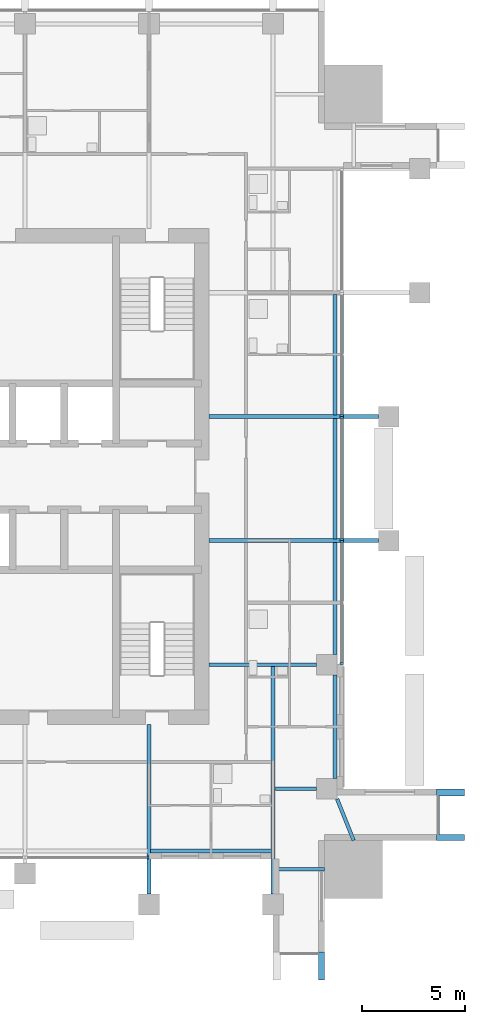
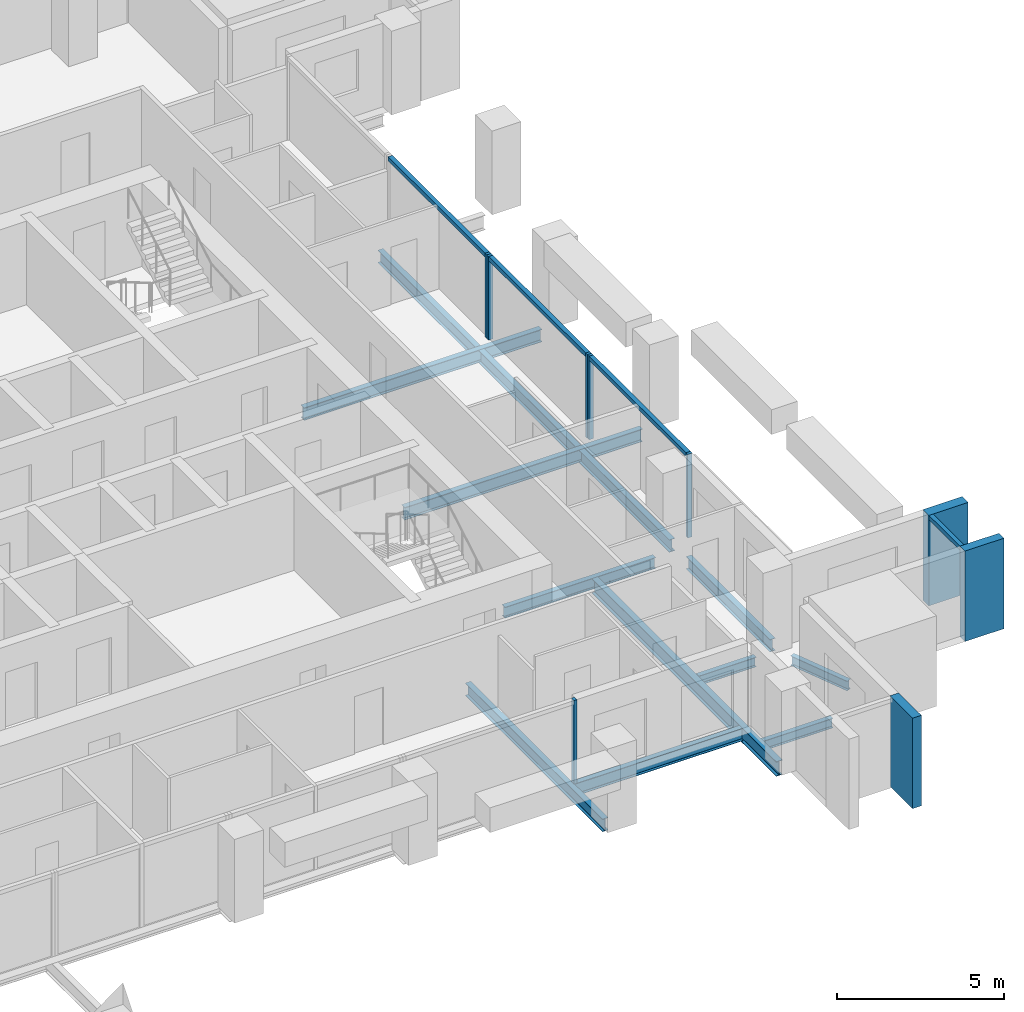
# One storey, part 4 of 14: 13 beams, 13 members, 6 elements without a shape of their own.
"""IFC4 building model written with IfcOpenShell, lengths in metres."""

from ifc_helpers import new_model, si_unit, direction, frame, origin, origin_2d, place, context, subcontext, project, spatial, rectangle, i_section, extrude, material, material_profile, profile_set, type_object, element, aggregate, save


model = new_model("IFC4")

# Units and contexts
model_context = context("Model", 3, precision=1e-05, world=origin(), true_north=direction((0.0, 1.0)))
body_context = subcontext(model_context, "Body", "Model", "MODEL_VIEW")
ifc_project = project(units=[si_unit("LENGTHUNIT", "METRE"), si_unit("AREAUNIT", "SQUARE_METRE"), si_unit("VOLUMEUNIT", "CUBIC_METRE"), si_unit("PLANEANGLEUNIT", "RADIAN"), si_unit("MASSUNIT", "GRAM", prefix="KILO")], contexts=[model_context])

# Site, building, storey
site_placement = place(None, origin())
site = spatial("IfcSite", under=ifc_project, at=site_placement, CompositionType="ELEMENT")
building_placement = place(site_placement, origin())
building = spatial("IfcBuilding", under=site, at=building_placement, Name="Amberfall Residences", CompositionType="ELEMENT")
storey_placement = place(building_placement, frame((0.0, 0.0, 168.10009765625)))
storey = spatial("IfcBuildingStorey", under=building, at=storey_placement, Name="L45", CompositionType="ELEMENT", Elevation=168.10009765625)

# Curtain wall, member
ifc_material_1 = material(Name="Bronze anodised aluminium and glass", Category="aluminium")
curtain_wall_type_1 = type_object("IfcCurtainWallType", Name="Curtain wall CW1 tower unit", PredefinedType="USERDEFINED", material=ifc_material_1)
curtain_wall_1_placement = place(storey_placement, origin())
curtain_wall_1 = element("IfcCurtainWall", 1, at=curtain_wall_1_placement, inside=storey, type_object=curtain_wall_type_1, Name="Curtain wall L45 E E1", ObjectType="UNITISED CURTAIN WALL", PredefinedType="USERDEFINED")
ifc_material_2 = material(Name="Bronze anodised aluminium", Category="aluminium")
ifc_material_profile_1 = material_profile(ifc_material_2, rectangle(XDim=0.14990234375, YDim=0.14990234375, at=origin_2d()), Name="CW1 transom 150 x 150 bronze")
ifc_profile_set_1 = profile_set([ifc_material_profile_1], Name="Bronze anodised aluminium")
member_type_1 = type_object("IfcMemberType", Name="CW1 transom 150 x 150 bronze", PredefinedType="USERDEFINED", material=ifc_profile_set_1)
member_1_placement = place(storey_placement, frame((97.574951171875, 28.199951171875, 2.974853515625), z_axis=(0.0, 1.0, 0.0), x_axis=(-1.0, 0.0, 0.0)))
member_1 = element("IfcMember", 2, at=member_1_placement, type_object=member_type_1, Name="CW1 transom 1.1", ObjectType="TRANSOM", PredefinedType="USERDEFINED", context=body_context, shape_type="SweptSolid", body=[
    extrude(rectangle(XDim=0.14990234375, YDim=0.14990234375, at=origin_2d()), origin(), (0.0, 0.0, 1.0), 1.85009765625),
])

curtain_wall_type_2 = type_object("IfcCurtainWallType", Name="Curtain wall CW3 sky garden glazing", PredefinedType="USERDEFINED", material=ifc_material_1)
curtain_wall_2_placement = place(storey_placement, origin())
curtain_wall_2 = element("IfcCurtainWall", 3, at=curtain_wall_2_placement, inside=storey, type_object=curtain_wall_type_2, Name="Curtain wall L45 S S6", ObjectType="UNITISED CURTAIN WALL", PredefinedType="USERDEFINED")
ifc_material_profile_2 = material_profile(ifc_material_2, rectangle(XDim=0.14990234375, YDim=0.10009765625, at=origin_2d()), Name="CW3 mullion 100 x 150 bronze")
ifc_profile_set_2 = profile_set([ifc_material_profile_2], Name="Bronze anodised aluminium")
member_type_2 = type_object("IfcMemberType", Name="CW3 mullion 100 x 150 bronze", PredefinedType="MULLION", material=ifc_profile_set_2)
member_2_placement = place(storey_placement, frame((83.550048828125, 27.074951171875, 0.0), z_axis=(0.0, 0.0, 1.0), x_axis=(0.0, 1.0, 0.0)))
member_2 = element("IfcMember", 4, at=member_2_placement, type_object=member_type_2, Name="CW3 mullion 2", PredefinedType="MULLION", context=body_context, shape_type="SweptSolid", body=[
    extrude(rectangle(XDim=0.14990234375, YDim=0.10009765625, at=origin_2d()), origin(), (0.0, 0.0, 1.0), 3.0498046875),
])
aggregate(curtain_wall_2, [member_2])

# Curtain wall, members
curtain_wall_3_placement = place(storey_placement, origin())
curtain_wall_3 = element("IfcCurtainWall", 5, at=curtain_wall_3_placement, inside=storey, type_object=curtain_wall_type_2, Name="Curtain wall L45 E E4", ObjectType="UNITISED CURTAIN WALL", PredefinedType="USERDEFINED")
member_3_placement = place(storey_placement, frame((92.925048828125, 36.449951171875, 0.0), z_axis=(0.0, 0.0, 1.0), x_axis=(-1.0, 0.0, 0.0)))
member_3 = element("IfcMember", 6, at=member_3_placement, type_object=member_type_2, Name="CW3 mullion 1", PredefinedType="MULLION", context=body_context, shape_type="SweptSolid", body=[
    extrude(rectangle(XDim=0.14990234375, YDim=0.10009765625, at=origin_2d()), origin(), (0.0, 0.0, 1.0), 3.0498046875),
])
member_4_placement = place(storey_placement, frame((92.925048828125, 42.35009765625, 0.0), z_axis=(0.0, 0.0, 1.0), x_axis=(-1.0, 0.0, 0.0)))
member_4 = element("IfcMember", 7, at=member_4_placement, type_object=member_type_2, Name="CW3 mullion 2", PredefinedType="MULLION", context=body_context, shape_type="SweptSolid", body=[
    extrude(rectangle(XDim=0.14990234375, YDim=0.10009765625, at=origin_2d()), origin(), (0.0, 0.0, 1.0), 3.0498046875),
])

curtain_wall_4_placement = place(storey_placement, origin())
curtain_wall_4 = element("IfcCurtainWall", 8, at=curtain_wall_4_placement, inside=storey, type_object=curtain_wall_type_2, Name="Curtain wall L45 E E5", ObjectType="UNITISED CURTAIN WALL", PredefinedType="USERDEFINED")
member_5_placement = place(storey_placement, frame((92.925048828125, 42.449951171875, 0.0), z_axis=(0.0, 0.0, 1.0), x_axis=(-1.0, 0.0, 0.0)))
member_5 = element("IfcMember", 9, at=member_5_placement, type_object=member_type_2, Name="CW3 mullion 1", PredefinedType="MULLION", context=body_context, shape_type="SweptSolid", body=[
    extrude(rectangle(XDim=0.14990234375, YDim=0.10009765625, at=origin_2d()), origin(), (0.0, 0.0, 1.0), 3.0498046875),
])
member_6_placement = place(storey_placement, frame((92.925048828125, 48.35009765625, 0.0), z_axis=(0.0, 0.0, 1.0), x_axis=(-1.0, 0.0, 0.0)))
member_6 = element("IfcMember", 10, at=member_6_placement, type_object=member_type_2, Name="CW3 mullion 2", PredefinedType="MULLION", context=body_context, shape_type="SweptSolid", body=[
    extrude(rectangle(XDim=0.14990234375, YDim=0.10009765625, at=origin_2d()), origin(), (0.0, 0.0, 1.0), 3.0498046875),
])

# Curtain wall, member
curtain_wall_5_placement = place(storey_placement, origin())
curtain_wall_5 = element("IfcCurtainWall", 11, at=curtain_wall_5_placement, inside=storey, type_object=curtain_wall_type_2, Name="Curtain wall L45 E E6", ObjectType="UNITISED CURTAIN WALL", PredefinedType="USERDEFINED")
member_7_placement = place(storey_placement, frame((92.925048828125, 48.449951171875, 0.0), z_axis=(0.0, 0.0, 1.0), x_axis=(-1.0, 0.0, 0.0)))
member_7 = element("IfcMember", 12, at=member_7_placement, type_object=member_type_2, Name="CW3 mullion 1", PredefinedType="MULLION", context=body_context, shape_type="SweptSolid", body=[
    extrude(rectangle(XDim=0.14990234375, YDim=0.10009765625, at=origin_2d()), origin(), (0.0, 0.0, 1.0), 3.0498046875),
])

# Member
ifc_material_profile_3 = material_profile(ifc_material_2, rectangle(XDim=0.14990234375, YDim=0.14990234375, at=origin_2d()), Name="CW3 transom 150 x 150 bronze")
ifc_profile_set_3 = profile_set([ifc_material_profile_3], Name="Bronze anodised aluminium")
member_type_3 = type_object("IfcMemberType", Name="CW3 transom 150 x 150 bronze", PredefinedType="USERDEFINED", material=ifc_profile_set_3)
member_8_placement = place(storey_placement, frame((92.925048828125, 36.5, 2.974853515625), z_axis=(0.0, 1.0, 0.0), x_axis=(-1.0, 0.0, 0.0)))
member_8 = element("IfcMember", 13, at=member_8_placement, type_object=member_type_3, Name="CW3 transom 1.1", ObjectType="TRANSOM", PredefinedType="USERDEFINED", context=body_context, shape_type="SweptSolid", body=[
    extrude(rectangle(XDim=0.14990234375, YDim=0.14990234375, at=origin_2d()), origin(), (0.0, 0.0, 1.0), 5.800048828125),
])

aggregate(curtain_wall_3, [member_3, member_4, member_8])

member_9_placement = place(storey_placement, frame((92.925048828125, 42.5, 2.974853515625), z_axis=(0.0, 1.0, 0.0), x_axis=(-1.0, 0.0, 0.0)))
member_9 = element("IfcMember", 14, at=member_9_placement, type_object=member_type_3, Name="CW3 transom 1.1", ObjectType="TRANSOM", PredefinedType="USERDEFINED", context=body_context, shape_type="SweptSolid", body=[
    extrude(rectangle(XDim=0.14990234375, YDim=0.14990234375, at=origin_2d()), origin(), (0.0, 0.0, 1.0), 5.800048828125),
])

aggregate(curtain_wall_4, [member_5, member_6, member_9])

member_10_placement = place(storey_placement, frame((92.925048828125, 48.5, 2.974853515625), z_axis=(0.0, 1.0, 0.0), x_axis=(-1.0, 0.0, 0.0)))
member_10 = element("IfcMember", 15, at=member_10_placement, type_object=member_type_3, Name="CW3 transom 1.1", ObjectType="TRANSOM", PredefinedType="USERDEFINED", context=body_context, shape_type="SweptSolid", body=[
    extrude(rectangle(XDim=0.14990234375, YDim=0.14990234375, at=origin_2d()), origin(), (0.0, 0.0, 1.0), 5.800048828125),
])

aggregate(curtain_wall_5, [member_7, member_10])

# Curtain wall, member
curtain_wall_6_placement = place(storey_placement, origin())
curtain_wall_6 = element("IfcCurtainWall", 16, at=curtain_wall_6_placement, inside=storey, type_object=curtain_wall_type_1, Name="Curtain wall L45 S S9", ObjectType="UNITISED CURTAIN WALL", PredefinedType="USERDEFINED")
ifc_material_profile_4 = material_profile(ifc_material_2, rectangle(XDim=1.35009765625, YDim=0.300048828125, at=origin_2d()), Name="Corner fin 300 x 1350 bronze")
ifc_profile_set_4 = profile_set([ifc_material_profile_4], Name="Bronze anodised aluminium")
member_type_4 = type_object("IfcMemberType", Name="Corner fin 300 x 1350 bronze", PredefinedType="MULLION", material=ifc_profile_set_4)
member_11_placement = place(storey_placement, frame((91.949951171875, 21.824951171875, -0.25), z_axis=(0.0, 0.0, 1.0), x_axis=(0.0, 1.0, 0.0)))
member_11 = element("IfcMember", 17, at=member_11_placement, type_object=member_type_4, Name="CW FIN 2", PredefinedType="MULLION", context=body_context, shape_type="SweptSolid", body=[
    extrude(rectangle(XDim=1.35009765625, YDim=0.300048828125, at=origin_2d()), origin(), (0.0, 0.0, 1.0), 3.2998046875),
])
aggregate(curtain_wall_6, [member_11])

# Member
member_12_placement = place(storey_placement, frame((98.175048828125, 28.050048828125, -0.25), z_axis=(0.0, 0.0, 1.0), x_axis=(-1.0, 0.0, 0.0)))
member_12 = element("IfcMember", 18, at=member_12_placement, type_object=member_type_4, Name="CW FIN 1", PredefinedType="MULLION", context=body_context, shape_type="SweptSolid", body=[
    extrude(rectangle(XDim=1.35009765625, YDim=0.300048828125, at=origin_2d()), origin(), (0.0, 0.0, 1.0), 3.2998046875),
])

# Beams
ifc_material_3 = material(Name="Steel S355", Category="steel")
ifc_material_profile_5 = material_profile(ifc_material_3, i_section(OverallWidth=0.18994140625, OverallDepth=0.453369140625, WebThickness=0.008544921875, FlangeThickness=0.0126953125, FilletRadius=0.01025390625, at=origin_2d()), Name="UB 457x191x67")
ifc_profile_set_5 = profile_set([ifc_material_profile_5], Name="Steel S355")
beam_type_1 = type_object("IfcBeamType", Name="Edge beam UB 457x191x67", PredefinedType="SPANDREL", material=ifc_profile_set_5)
beam_1_placement = place(storey_placement, frame((83.679931640625, 27.39990234375, -0.476806640625), z_axis=(1.0, 0.0, 0.0), x_axis=(0.0, 1.0, 0.0)))
element("IfcBeam", 19, at=beam_1_placement, inside=storey, type_object=beam_type_1, Name="Edge beam B1 L45 05", PredefinedType="SPANDREL", context=body_context, shape_type="SweptSolid", body=[
    extrude(i_section(OverallWidth=0.18994140625, OverallDepth=0.453369140625, WebThickness=0.008544921875, FlangeThickness=0.0126953125, FilletRadius=0.01025390625, at=origin_2d()), origin(), (0.0, 0.0, 1.0), 5.840087890625),
])
beam_2_placement = place(storey_placement, frame((92.60009765625, 30.89990234375, -0.476806640625), z_axis=(0.0, 1.0, 0.0), x_axis=(-1.0, 0.0, 0.0)))
element("IfcBeam", 20, at=beam_2_placement, inside=storey, type_object=beam_type_1, Name="Edge beam B1 L45 12", PredefinedType="SPANDREL", context=body_context, shape_type="SweptSolid", body=[
    extrude(i_section(OverallWidth=0.18994140625, OverallDepth=0.453369140625, WebThickness=0.008544921875, FlangeThickness=0.0126953125, FilletRadius=0.01025390625, at=origin_2d()), origin(), (0.0, 0.0, 1.0), 5.0),
])
beam_3_placement = place(storey_placement, frame((92.60009765625, 36.89990234375, -0.476806640625), z_axis=(0.0, 1.0, 0.0), x_axis=(-1.0, 0.0, 0.0)))
element("IfcBeam", 21, at=beam_3_placement, inside=storey, type_object=beam_type_1, Name="Edge beam B1 L45 13", PredefinedType="SPANDREL", context=body_context, shape_type="SweptSolid", body=[
    extrude(i_section(OverallWidth=0.18994140625, OverallDepth=0.453369140625, WebThickness=0.008544921875, FlangeThickness=0.0126953125, FilletRadius=0.01025390625, at=origin_2d()), origin(), (0.0, 0.0, 1.0), 5.420166015625),
])
for number, where, z_axis, x_axis, name in (
    (22, (92.60009765625, 42.47998046875, -0.476806640625), (0.0, 1.0, 0.0), (-1.0, 0.0, 0.0), "Edge beam B1 L45 14"),
    (23, (92.60009765625, 48.47998046875, -0.476806640625), (0.0, 1.0, 0.0), (-1.0, 0.0, 0.0), "Edge beam B1 L45 15"),
):
    element("IfcBeam", number, at=place(storey_placement, frame(where, z_axis=z_axis, x_axis=x_axis)), inside=storey, type_object=beam_type_1, Name=name, PredefinedType="SPANDREL", context=body_context, shape_type="SweptSolid", body=[
        extrude(i_section(OverallWidth=0.18994140625, OverallDepth=0.453369140625, WebThickness=0.008544921875, FlangeThickness=0.0126953125, FilletRadius=0.01025390625, at=origin_2d()), origin(), (0.0, 0.0, 1.0), 5.840087890625),
    ])

# Member
ifc_material_profile_6 = material_profile(ifc_material_2, rectangle(XDim=1.35009765625, YDim=0.35009765625, at=origin_2d()), Name="Fin 350 x 1350 bronze")
ifc_profile_set_6 = profile_set([ifc_material_profile_6], Name="Bronze anodised aluminium")
member_type_5 = type_object("IfcMemberType", Name="Fin 350 x 1350 bronze", PredefinedType="MULLION", material=ifc_profile_set_6)
member_13_placement = place(storey_placement, frame((98.175048828125, 30.22509765625, -0.25), z_axis=(0.0, 0.0, 1.0), x_axis=(-1.0, 0.0, 0.0)))
member_13 = element("IfcMember", 24, at=member_13_placement, type_object=member_type_5, Name="CW FIN 2", PredefinedType="MULLION", context=body_context, shape_type="SweptSolid", body=[
    extrude(rectangle(XDim=1.35009765625, YDim=0.35009765625, at=origin_2d()), origin(), (0.0, 0.0, 1.0), 3.2998046875),
])

aggregate(curtain_wall_1, [member_12, member_13, member_1])

# Beams
ifc_material_profile_7 = material_profile(ifc_material_3, i_section(OverallWidth=0.171142578125, OverallDepth=0.351318359375, WebThickness=0.007080078125, FlangeThickness=0.009765625, FilletRadius=0.01025390625, at=origin_2d()), Name="UB 356x171x45")
ifc_profile_set_7 = profile_set([ifc_material_profile_7], Name="Steel S355")
beam_type_2 = type_object("IfcBeamType", Name="Floor girder UB 356x171x45", PredefinedType="BEAM", material=ifc_profile_set_7)
beam_4_placement = place(storey_placement, frame((91.699951171875, 30.39990234375, -0.42578125), z_axis=(-1.0, 0.0, 0.0), x_axis=(0.0, -1.0, 0.0)))
element("IfcBeam", 25, at=beam_4_placement, inside=storey, type_object=beam_type_2, Name="Floor girder B11 L45 17", PredefinedType="BEAM", context=body_context, shape_type="SweptSolid", body=[
    extrude(i_section(OverallWidth=0.171142578125, OverallDepth=0.351318359375, WebThickness=0.007080078125, FlangeThickness=0.009765625, FilletRadius=0.01025390625, at=origin_2d()), origin(), (0.0, 0.0, 1.0), 1.97998046875),
])
ifc_material_profile_8 = material_profile(ifc_material_3, i_section(OverallWidth=0.177734375, OverallDepth=0.402587890625, WebThickness=0.0078125, FlangeThickness=0.010986328125, FilletRadius=0.01025390625, at=origin_2d()), Name="UB 406x178x54")
ifc_profile_set_8 = profile_set([ifc_material_profile_8], Name="Steel S355")
beam_type_3 = type_object("IfcBeamType", Name="Floor girder UB 406x178x54", PredefinedType="BEAM", material=ifc_profile_set_8)
beam_5_placement = place(storey_placement, frame((91.699951171875, 36.39990234375, -0.451416015625), z_axis=(-1.0, 0.0, 0.0), x_axis=(0.0, -1.0, 0.0)))
element("IfcBeam", 26, at=beam_5_placement, inside=storey, type_object=beam_type_3, Name="Floor girder B4 L45 18", PredefinedType="BEAM", context=body_context, shape_type="SweptSolid", body=[
    extrude(i_section(OverallWidth=0.177734375, OverallDepth=0.402587890625, WebThickness=0.0078125, FlangeThickness=0.010986328125, FilletRadius=0.01025390625, at=origin_2d()), origin(), (0.0, 0.0, 1.0), 5.199951171875),
])
ifc_material_profile_9 = material_profile(ifc_material_3, i_section(OverallWidth=0.19140625, OverallDepth=0.4599609375, WebThickness=0.010009765625, FlangeThickness=0.01611328125, FilletRadius=0.01025390625, at=origin_2d()), Name="UB 457x191x82")
ifc_profile_set_9 = profile_set([ifc_material_profile_9], Name="Steel S355")
beam_type_4 = type_object("IfcBeamType", Name="Floor girder UB 457x191x82", PredefinedType="BEAM", material=ifc_profile_set_9)
for number, where, z_axis, x_axis, name in (
    (27, (83.60009765625, 25.300048828125, -0.47998046875), (0.0, 1.0, 0.0), (-1.0, 0.0, 0.0), "Floor girder B10 L45 10"),
    (28, (94.699951171875, 42.39990234375, -0.47998046875), (-1.0, 0.0, 0.0), (0.0, -1.0, 0.0), "Floor girder B10 L45 19"),
    (29, (94.699951171875, 48.39990234375, -0.47998046875), (-1.0, 0.0, 0.0), (0.0, -1.0, 0.0), "Floor girder B10 L45 20"),
):
    element("IfcBeam", number, at=place(storey_placement, frame(where, z_axis=z_axis, x_axis=x_axis)), inside=storey, type_object=beam_type_4, Name=name, PredefinedType="BEAM", context=body_context, shape_type="SweptSolid", body=[
        extrude(i_section(OverallWidth=0.19140625, OverallDepth=0.4599609375, WebThickness=0.010009765625, FlangeThickness=0.01611328125, FilletRadius=0.01025390625, at=origin_2d()), origin(), (0.0, 0.0, 1.0), 8.199951171875),
    ])
ifc_material_profile_10 = material_profile(ifc_material_3, i_section(OverallWidth=0.210693359375, OverallDepth=0.53955078125, WebThickness=0.01171875, FlangeThickness=0.018798828125, FilletRadius=0.0126953125, at=origin_2d()), Name="UB 533x210x109")
ifc_profile_set_10 = profile_set([ifc_material_profile_10], Name="Steel S355")
beam_type_5 = type_object("IfcBeamType", Name="Floor girder UB 533x210x109", PredefinedType="BEAM", material=ifc_profile_set_10)
beam_6_placement = place(storey_placement, frame((89.60009765625, 25.300048828125, -0.519775390625), z_axis=(0.0, 1.0, 0.0), x_axis=(-1.0, 0.0, 0.0)))
element("IfcBeam", 30, at=beam_6_placement, inside=storey, type_object=beam_type_5, Name="Floor girder B2 L45 11", PredefinedType="BEAM", context=body_context, shape_type="SweptSolid", body=[
    extrude(i_section(OverallWidth=0.210693359375, OverallDepth=0.53955078125, WebThickness=0.01171875, FlangeThickness=0.018798828125, FilletRadius=0.0126953125, at=origin_2d()), origin(), (0.0, 0.0, 1.0), 11.01611328125),
])
ifc_material_profile_11 = material_profile(ifc_material_3, i_section(OverallWidth=0.171142578125, OverallDepth=0.351318359375, WebThickness=0.007080078125, FlangeThickness=0.009765625, FilletRadius=0.01025390625, at=origin_2d()), Name="UB 356x171x45")
ifc_profile_set_11 = profile_set([ifc_material_profile_11], Name="Steel S355")
beam_type_6 = type_object("IfcBeamType", Name="Link beam UB 356x171x45", PredefinedType="BEAM", material=ifc_profile_set_11)
beam_7_placement = place(storey_placement, frame((92.10009765625, 26.5, -0.42578125), z_axis=(-1.0, 0.0, 0.0), x_axis=(0.0, -1.0, 0.0)))
element("IfcBeam", 31, at=beam_7_placement, inside=storey, type_object=beam_type_6, Name="Link beam B7 L45 47", PredefinedType="BEAM", context=body_context, shape_type="SweptSolid", body=[
    extrude(i_section(OverallWidth=0.171142578125, OverallDepth=0.351318359375, WebThickness=0.007080078125, FlangeThickness=0.009765625, FilletRadius=0.01025390625, at=origin_2d()), origin(), (0.0, 0.0, 1.0), 2.405517578125),
])
beam_8_placement = place(storey_placement, frame((93.5, 27.89990234375, -0.42578125), z_axis=(-0.37141021739, 0.928468874232, 0.0), x_axis=(-0.928468874232, -0.37141021739, 0.0)))
element("IfcBeam", 32, at=beam_8_placement, inside=storey, type_object=beam_type_6, Name="Link beam B7 L45 48", PredefinedType="BEAM", context=body_context, shape_type="SweptSolid", body=[
    extrude(i_section(OverallWidth=0.171142578125, OverallDepth=0.351318359375, WebThickness=0.007080078125, FlangeThickness=0.009765625, FilletRadius=0.01025390625, at=origin_2d()), origin(), (0.0, 0.0, 1.0), 2.154052734375),
])

save(model, "model.ifc")
